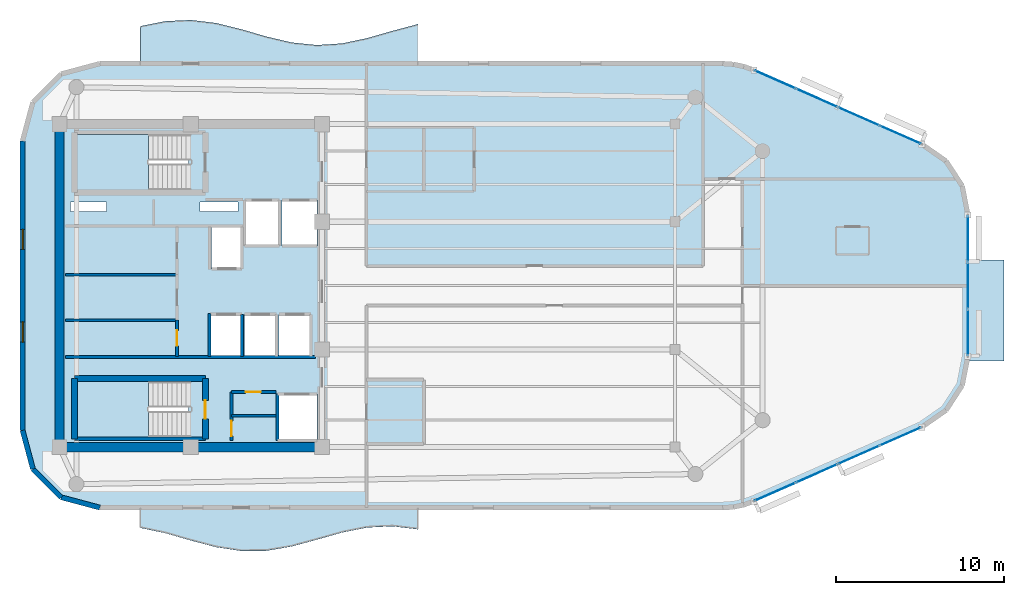
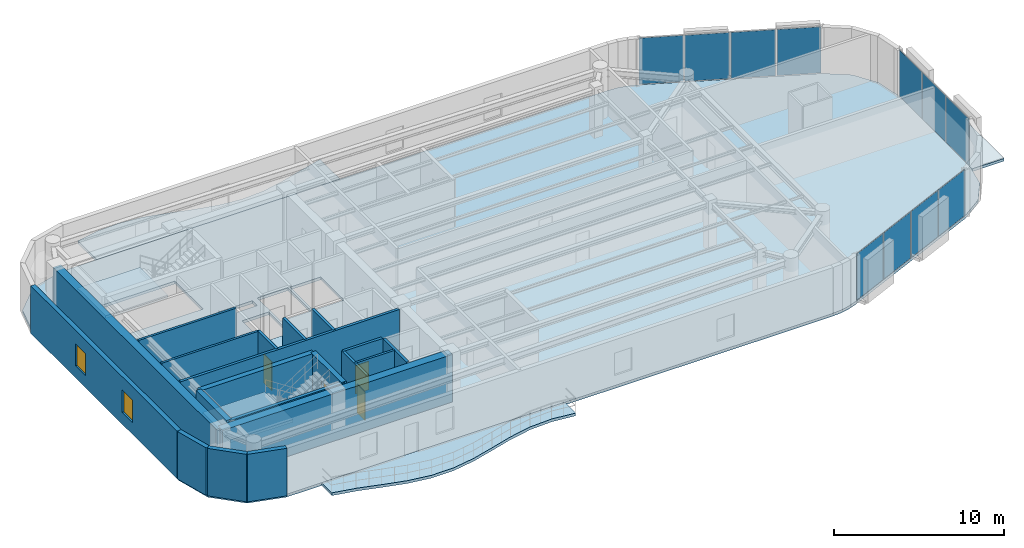
# One storey, part 7 of 12: 20 walls, 11 plates, 6 slabs, 4 doors, 2 windows, 6 openings, 5 elements without a shape of their own.
"""IFC4 building model written with IfcOpenShell, lengths in metres."""

from ifc_helpers import new_model, si_unit, direction, frame, frame_2d, origin, origin_2d, place, context, subcontext, project, spatial, polyline, rectangle, outline, extrude, material, layer, layer_set, type_object, element, fill, aggregate, save


model = new_model("IFC4")

# Units and contexts
model_context = context("Model", 3, precision=1e-05, world=origin(), true_north=direction((0.0, 1.0)))
body_context = subcontext(model_context, "Body", "Model", "MODEL_VIEW")
ifc_project = project(units=[si_unit("LENGTHUNIT", "METRE"), si_unit("AREAUNIT", "SQUARE_METRE"), si_unit("VOLUMEUNIT", "CUBIC_METRE"), si_unit("PLANEANGLEUNIT", "RADIAN"), si_unit("MASSUNIT", "GRAM", prefix="KILO")], contexts=[model_context])

# Site, building, storey
site_placement = place(None, origin())
site = spatial("IfcSite", under=ifc_project, at=site_placement, CompositionType="ELEMENT")
building_placement = place(site_placement, origin())
building = spatial("IfcBuilding", under=site, at=building_placement, Name="An Khanh Terracotta Commons", CompositionType="ELEMENT")
storey_placement = place(building_placement, frame((0.0, 0.0, 291.64990234375)))
storey = spatial("IfcBuildingStorey", under=building, at=storey_placement, Name="L76", CompositionType="ELEMENT", Elevation=291.64990234375)

# Curtain wall, plates
ifc_material_1 = material(Name="Anodised Aluminium 6063-T6", Category="aluminium")
ifc_layer_1 = layer(ifc_material_1, 0.2099609375, Name="Anodised Aluminium 6063-T6")
ifc_layer_set_1 = layer_set([ifc_layer_1], Name="Anodised Aluminium 6063-T6")
curtain_wall_type = type_object("IfcCurtainWallType", Name="CW-SYS-03", PredefinedType="USERDEFINED", material=ifc_layer_set_1)
curtain_wall_1_placement = place(storey_placement, origin())
curtain_wall_1 = element("IfcCurtainWall", 1, at=curtain_wall_1_placement, inside=storey, type_object=curtain_wall_type, Name="L76 CW-03 Unitised Curtain Wall CW-L76-08", ObjectType="UNITISED CURTAIN WALL", PredefinedType="USERDEFINED")
ifc_material_2 = material(Name="Acoustic Laminated Low-E Glazing", Category="glass")
ifc_layer_2 = layer(ifc_material_2, 0.035888671875, Name="Acoustic Laminated Low-E Glazing")
ifc_layer_set_2 = layer_set([ifc_layer_2], Name="Acoustic Laminated Low-E Glazing")
plate_type = type_object("IfcPlateType", Name="CWP-IGU-36", PredefinedType="CURTAIN_PANEL", material=ifc_layer_set_2)
plate_1_placement = place(storey_placement, frame((64.149169921875, 11.748046875, 0.050048828125), z_axis=(0.0, 0.0, 1.0), x_axis=(0.914901853201, 0.403676354285, 0.0)))
plate_1 = element("IfcPlate", 2, at=plate_1_placement, type_object=plate_type, Name="CW-03 panel 1.1", PredefinedType="CURTAIN_PANEL", context=body_context, shape_type="SweptSolid", body=[
    extrude(rectangle(XDim=2.619384765625, YDim=0.035888671875, at=origin_2d()), origin(), (0.0, 0.0, 1.0), 3.31005859375),
])
plate_2_placement = place(storey_placement, frame((66.625732421875, 12.840576171875, 0.050048828125), z_axis=(0.0, 0.0, 1.0), x_axis=(0.914901853201, 0.403676354285, 0.0)))
plate_2 = element("IfcPlate", 3, at=plate_2_placement, type_object=plate_type, Name="CW-03 panel 2.1", PredefinedType="CURTAIN_PANEL", context=body_context, shape_type="SweptSolid", body=[
    extrude(rectangle(XDim=2.654296875, YDim=0.035888671875, at=origin_2d()), origin(), (0.0, 0.0, 1.0), 3.31005859375),
])
plate_3_placement = place(storey_placement, frame((69.1181640625, 13.9404296875, 0.050048828125), z_axis=(0.0, 0.0, 1.0), x_axis=(0.914901853201, 0.403676354285, 0.0)))
plate_3 = element("IfcPlate", 4, at=plate_3_placement, type_object=plate_type, Name="CW-03 panel 3.1", PredefinedType="CURTAIN_PANEL", context=body_context, shape_type="SweptSolid", body=[
    extrude(rectangle(XDim=2.654296875, YDim=0.035888671875, at=origin_2d()), origin(), (0.0, 0.0, 1.0), 3.31005859375),
])
plate_4_placement = place(storey_placement, frame((71.5947265625, 15.032958984375, 0.050048828125), z_axis=(0.0, 0.0, 1.0), x_axis=(0.914901853201, 0.403676354285, 0.0)))
plate_4 = element("IfcPlate", 5, at=plate_4_placement, type_object=plate_type, Name="CW-03 panel 4.1", PredefinedType="CURTAIN_PANEL", context=body_context, shape_type="SweptSolid", body=[
    extrude(rectangle(XDim=2.619384765625, YDim=0.035888671875, at=origin_2d()), origin(), (0.0, 0.0, 1.0), 3.31005859375),
])
aggregate(curtain_wall_1, [plate_1, plate_2, plate_3, plate_4])

curtain_wall_2_placement = place(storey_placement, origin())
curtain_wall_2 = element("IfcCurtainWall", 6, at=curtain_wall_2_placement, inside=storey, type_object=curtain_wall_type, Name="L76 CW-03 Unitised Curtain Wall CW-L76-12", ObjectType="UNITISED CURTAIN WALL", PredefinedType="USERDEFINED")
plate_5_placement = place(storey_placement, frame((75.60009765625, 21.216064453125, 0.050048828125), z_axis=(0.0, 0.0, 1.0), x_axis=(0.0, 1.0, 0.0)))
plate_5 = element("IfcPlate", 7, at=plate_5_placement, type_object=plate_type, Name="CW-03 panel 1.1", PredefinedType="CURTAIN_PANEL", context=body_context, shape_type="SweptSolid", body=[
    extrude(rectangle(XDim=2.6962890625, YDim=0.035888671875, at=origin_2d()), origin(), (0.0, 0.0, 1.0), 3.31005859375),
])
plate_6_placement = place(storey_placement, frame((75.60009765625, 24.0, 0.050048828125), z_axis=(0.0, 0.0, 1.0), x_axis=(0.0, 1.0, 0.0)))
plate_6 = element("IfcPlate", 8, at=plate_6_placement, type_object=plate_type, Name="CW-03 panel 2.1", PredefinedType="CURTAIN_PANEL", context=body_context, shape_type="SweptSolid", body=[
    extrude(rectangle(XDim=2.7314453125, YDim=0.035888671875, at=origin_2d()), origin(), (0.0, 0.0, 1.0), 3.31005859375),
])
plate_7_placement = place(storey_placement, frame((75.60009765625, 26.783935546875, 0.050048828125), z_axis=(0.0, 0.0, 1.0), x_axis=(0.0, 1.0, 0.0)))
plate_7 = element("IfcPlate", 9, at=plate_7_placement, type_object=plate_type, Name="CW-03 panel 3.1", PredefinedType="CURTAIN_PANEL", context=body_context, shape_type="SweptSolid", body=[
    extrude(rectangle(XDim=2.6962890625, YDim=0.035888671875, at=origin_2d()), origin(), (0.0, 0.0, 1.0), 3.31005859375),
])
aggregate(curtain_wall_2, [plate_5, plate_6, plate_7])

curtain_wall_3_placement = place(storey_placement, origin())
curtain_wall_3 = element("IfcCurtainWall", 10, at=curtain_wall_3_placement, inside=storey, type_object=curtain_wall_type, Name="L76 CW-03 Unitised Curtain Wall CW-L76-16", ObjectType="UNITISED CURTAIN WALL", PredefinedType="USERDEFINED")
plate_8_placement = place(storey_placement, frame((71.5947265625, 32.967041015625, 0.050048828125), z_axis=(0.0, 0.0, 1.0), x_axis=(-0.914901853201, 0.403676354285, 0.0)))
plate_8 = element("IfcPlate", 11, at=plate_8_placement, type_object=plate_type, Name="CW-03 panel 1.1", PredefinedType="CURTAIN_PANEL", context=body_context, shape_type="SweptSolid", body=[
    extrude(rectangle(XDim=2.619384765625, YDim=0.035888671875, at=origin_2d()), origin(), (0.0, 0.0, 1.0), 3.31005859375),
])
plate_9_placement = place(storey_placement, frame((69.1181640625, 34.0595703125, 0.050048828125), z_axis=(0.0, 0.0, 1.0), x_axis=(-0.914901853201, 0.403676354285, 0.0)))
plate_9 = element("IfcPlate", 12, at=plate_9_placement, type_object=plate_type, Name="CW-03 panel 2.1", PredefinedType="CURTAIN_PANEL", context=body_context, shape_type="SweptSolid", body=[
    extrude(rectangle(XDim=2.654296875, YDim=0.035888671875, at=origin_2d()), origin(), (0.0, 0.0, 1.0), 3.31005859375),
])
plate_10_placement = place(storey_placement, frame((66.625732421875, 35.159423828125, 0.050048828125), z_axis=(0.0, 0.0, 1.0), x_axis=(-0.914901853201, 0.403676354285, 0.0)))
plate_10 = element("IfcPlate", 13, at=plate_10_placement, type_object=plate_type, Name="CW-03 panel 3.1", PredefinedType="CURTAIN_PANEL", context=body_context, shape_type="SweptSolid", body=[
    extrude(rectangle(XDim=2.654296875, YDim=0.035888671875, at=origin_2d()), origin(), (0.0, 0.0, 1.0), 3.31005859375),
])
plate_11_placement = place(storey_placement, frame((64.149169921875, 36.251953125, 0.050048828125), z_axis=(0.0, 0.0, 1.0), x_axis=(-0.914901853201, 0.403676354285, 0.0)))
plate_11 = element("IfcPlate", 14, at=plate_11_placement, type_object=plate_type, Name="CW-03 panel 4.1", PredefinedType="CURTAIN_PANEL", context=body_context, shape_type="SweptSolid", body=[
    extrude(rectangle(XDim=2.619384765625, YDim=0.035888671875, at=origin_2d()), origin(), (0.0, 0.0, 1.0), 3.31005859375),
])
aggregate(curtain_wall_3, [plate_8, plate_9, plate_10, plate_11])

# Slabs
ifc_material_3 = material(Name="Concrete C40/50", Category="concrete")
ifc_layer_3 = layer(ifc_material_3, 0.199951171875, Name="Concrete C40/50")
ifc_layer_set_3 = layer_set([ifc_layer_3], Name="Concrete C40/50")
slab_type_1 = type_object("IfcSlabType", Name="SLAB-BALC-200", PredefinedType="FLOOR", material=ifc_layer_set_3)
slab_1_placement = place(storey_placement, frame((0.0, 0.0, -0.199951171875)))
element("IfcSlab", 15, at=slab_1_placement, inside=storey, type_object=slab_type_1, Name="L76 S Sinusoidal Wave Balcony Slab", PredefinedType="FLOOR", context=body_context, shape_type="SweptSolid", body=[
    extrude(outline(polyline([(26.39990234375, 10.800048828125), (26.39990234375, 9.60009765625), (27.89990234375, 9.281982421875), (29.39990234375, 8.85205078125), (30.89990234375, 8.455078125), (32.39990234375, 8.22607421875), (33.89990234375, 8.239990234375), (35.39990234375, 8.492919921875), (36.89990234375, 8.90087890625), (38.39990234375, 9.324951171875), (39.89990234375, 9.623046875), (41.39990234375, 9.694091796875), (42.89990234375, 9.513916015625), (42.89990234375, 10.800048828125), (26.39990234375, 10.800048828125)])), origin(), (0.0, 0.0, 1.0), 0.199951171875),
])
slab_2_placement = place(storey_placement, frame((0.0, 0.0, -0.199951171875)))
element("IfcSlab", 16, at=slab_2_placement, inside=storey, type_object=slab_type_1, Name="L76 N Sinusoidal Wave Balcony Slab", PredefinedType="FLOOR", context=body_context, shape_type="SweptSolid", body=[
    extrude(outline(polyline([(42.89990234375, 37.199951171875), (42.89990234375, 39.544921875), (41.39990234375, 39.14794921875), (39.89990234375, 38.718017578125), (38.39990234375, 38.39990234375), (36.89990234375, 38.302001953125), (35.39990234375, 38.455078125), (33.89990234375, 38.80908203125), (32.39990234375, 39.243896484375), (30.89990234375, 39.614013671875), (29.39990234375, 39.7939453125), (27.89990234375, 39.722900390625), (26.39990234375, 39.425048828125), (26.39990234375, 37.199951171875), (42.89990234375, 37.199951171875)])), origin(), (0.0, 0.0, 1.0), 0.199951171875),
])
ifc_layer_4 = layer(ifc_material_3, 0.22998046875, Name="Concrete C40/50")
ifc_layer_set_4 = layer_set([ifc_layer_4], Name="Concrete C40/50")
slab_type_2 = type_object("IfcSlabType", Name="SLAB-BOXROOF-230", PredefinedType="ROOF", material=ifc_layer_set_4)
slab_3_placement = place(storey_placement, frame((0.0, 0.0, -0.199951171875)))
element("IfcSlab", 17, at=slab_3_placement, inside=storey, type_object=slab_type_2, Name="L76 Shifted Social Kitchen Box Closing Roof Slab (L75)", PredefinedType="ROOF", context=body_context, shape_type="SweptSolid", body=[
    extrude(outline(polyline([(75.60009765625, 19.530029296875), (77.75, 19.530029296875), (77.75, 25.530029296875), (75.60009765625, 25.530029296875), (75.60009765625, 19.530029296875)])), origin(), (0.0, 0.0, 1.0), 0.199951171875),
])

# Stair, slab
ifc_material_4 = material(Name="Precast concrete C40/50", Category="concrete")
stair_type = type_object("IfcStairType", Name="STAIR-CORE-1550", PredefinedType="HALF_TURN_STAIR", material=ifc_material_4)
stair_1_placement = place(storey_placement, origin())
stair_1 = element("IfcStair", 18, at=stair_1_placement, inside=storey, type_object=stair_type, Name="L76 Core Smokeproof Exit Stair ST-01", PredefinedType="HALF_TURN_STAIR")
ifc_layer_5 = layer(ifc_material_3, 0.18994140625, Name="Concrete C40/50")
ifc_layer_set_5 = layer_set([ifc_layer_5], Name="Concrete C40/50")
slab_type_3 = type_object("IfcSlabType", Name="SLAB-LANDING-190", PredefinedType="LANDING", material=ifc_layer_set_5)
slab_4_placement = place(storey_placement, frame((0.0, 0.0, 1.625)))
slab_4 = element("IfcSlab", 19, at=slab_4_placement, type_object=slab_type_3, Name="ST-01 landing 1", PredefinedType="LANDING", context=body_context, shape_type="SweptSolid", body=[
    extrude(outline(polyline([(26.889892578125, 33.0), (22.64990234375, 33.0), (22.64990234375, 29.699951171875), (26.889892578125, 29.699951171875), (26.889892578125, 33.0)])), origin(), (0.0, 0.0, 1.0), 0.2001953125),
])
aggregate(stair_1, [slab_4])

stair_2_placement = place(storey_placement, origin())
stair_2 = element("IfcStair", 20, at=stair_2_placement, inside=storey, type_object=stair_type, Name="L76 Core Smokeproof Exit Stair ST-02", PredefinedType="HALF_TURN_STAIR")
slab_5_placement = place(storey_placement, frame((0.0, 0.0, 1.625)))
slab_5 = element("IfcSlab", 21, at=slab_5_placement, type_object=slab_type_3, Name="ST-02 landing 1", PredefinedType="LANDING", context=body_context, shape_type="SweptSolid", body=[
    extrude(outline(polyline([(26.889892578125, 18.300048828125), (22.64990234375, 18.300048828125), (22.64990234375, 15.0), (26.889892578125, 15.0), (26.889892578125, 18.300048828125)])), origin(), (0.0, 0.0, 1.0), 0.2001953125),
])
aggregate(stair_2, [slab_5])

# Slab
ifc_layer_6 = layer(ifc_material_3, 0.199951171875, Name="Concrete C40/50")
ifc_layer_set_6 = layer_set([ifc_layer_6], Name="Concrete C40/50")
slab_type_4 = type_object("IfcSlabType", Name="SLAB-TYP-200", PredefinedType="FLOOR", material=ifc_layer_set_6)
slab_6_placement = place(storey_placement, frame((0.0, 0.0, -0.199951171875)))
element("IfcSlab", 22, at=slab_6_placement, inside=storey, type_object=slab_type_4, Name="L76 Structural Floor Slab", PredefinedType="FLOOR", context=body_context, shape_type="SweptSolid", body=[
    extrude(outline(polyline([(19.39990234375, 15.39990234375), (20.01611328125, 13.10009765625), (21.699951171875, 11.416015625), (24.0, 10.800048828125), (61.030029296875, 10.800048828125), (61.6650390625, 10.843994140625), (62.2880859375, 10.97509765625), (62.886962890625, 11.19091796875), (72.85693359375, 15.590087890625), (74.302001953125, 16.594970703125), (75.262939453125, 18.070068359375), (75.60009765625, 19.798095703125), (75.60009765625, 28.201904296875), (75.262939453125, 29.929931640625), (74.302001953125, 31.405029296875), (72.85693359375, 32.409912109375), (62.886962890625, 36.80908203125), (62.2880859375, 37.02490234375), (61.6650390625, 37.156005859375), (61.030029296875, 37.199951171875), (24.0, 37.199951171875), (21.699951171875, 36.583984375), (20.01611328125, 34.89990234375), (19.39990234375, 32.60009765625), (19.39990234375, 15.39990234375)]), holes=[polyline([(22.64990234375, 29.699951171875), (29.27001953125, 29.699951171875), (29.27001953125, 33.0), (22.64990234375, 33.0), (22.64990234375, 29.699951171875)]), polyline([(22.64990234375, 15.0), (29.27001953125, 15.0), (29.27001953125, 18.300048828125), (22.64990234375, 18.300048828125), (22.64990234375, 15.0)]), polyline([(32.60009765625, 26.35009765625), (34.679931640625, 26.35009765625), (34.679931640625, 29.080078125), (32.60009765625, 29.080078125), (32.60009765625, 26.35009765625)]), polyline([(34.820068359375, 26.35009765625), (36.89990234375, 26.35009765625), (36.89990234375, 29.080078125), (34.820068359375, 29.080078125), (34.820068359375, 26.35009765625)]), polyline([(34.550048828125, 14.800048828125), (36.89990234375, 14.800048828125), (36.89990234375, 17.550048828125), (34.550048828125, 17.550048828125), (34.550048828125, 14.800048828125)]), polyline([(30.639892578125, 25.0), (32.4599609375, 25.0), (32.4599609375, 27.5), (30.639892578125, 27.5), (30.639892578125, 25.0)]), polyline([(30.56005859375, 19.800048828125), (32.4599609375, 19.800048828125), (32.4599609375, 22.300048828125), (30.56005859375, 22.300048828125), (30.56005859375, 19.800048828125)]), polyline([(32.60009765625, 19.800048828125), (34.5, 19.800048828125), (34.5, 22.300048828125), (32.60009765625, 22.300048828125), (32.60009765625, 19.800048828125)]), polyline([(34.639892578125, 19.800048828125), (36.5400390625, 19.800048828125), (36.5400390625, 22.300048828125), (34.639892578125, 22.300048828125), (34.639892578125, 19.800048828125)]), polyline([(22.25, 28.419921875), (24.39990234375, 28.419921875), (24.39990234375, 28.97998046875), (22.25, 28.97998046875), (22.25, 28.419921875)]), polyline([(29.949951171875, 28.419921875), (32.199951171875, 28.419921875), (32.199951171875, 28.97998046875), (29.949951171875, 28.97998046875), (29.949951171875, 28.419921875)])]), origin(), (0.0, 0.0, 1.0), 0.199951171875),
])

# Walls
ifc_material_5 = material(Name="Concrete C50/60", Category="concrete")
ifc_layer_7 = layer(ifc_material_5, 0.550048828125, Name="Concrete C50/60")
ifc_layer_set_7 = layer_set([ifc_layer_7], Name="Concrete C50/60")
wall_type_1 = type_object("IfcWallType", Name="WALL-CORE-550", PredefinedType="SHEAR", material=ifc_layer_set_7)
wall_1_placement = place(storey_placement, frame((21.60009765625, 14.39990234375, 0.0), z_axis=(0.0, 0.0, 1.0), x_axis=(0.0, 1.0, 0.0)))
element("IfcWall", 23, at=wall_1_placement, inside=storey, type_object=wall_type_1, Name="L76 Core Wall CWALL-L76-W", PredefinedType="SHEAR", context=body_context, shape_type="SweptSolid", body=[
    extrude(rectangle(XDim=19.2001953125, YDim=0.550048828125, at=frame_2d((9.60009765625, 0.0))), origin(), (0.0, 0.0, 1.0), 3.41015625),
])
wall_2_placement = place(storey_placement, frame((37.199951171875, 14.39990234375, 0.0), z_axis=(0.0, 0.0, 1.0), x_axis=(-1.0, 0.0, 0.0)))
element("IfcWall", 24, at=wall_2_placement, inside=storey, type_object=wall_type_1, Name="L76 Core Wall CWALL-L76-S", PredefinedType="SHEAR", context=body_context, shape_type="SweptSolid", body=[
    extrude(rectangle(XDim=15.599853515625, YDim=0.550048828125, at=frame_2d((7.7998046875, 0.0))), origin(), (0.0, 0.0, 1.0), 3.41015625),
])
ifc_material_6 = material(Name="Fire-Rated Gypsum Board on Steel Stud", Category="steel")
ifc_layer_8 = layer(ifc_material_6, 0.179931640625, Name="Fire-Rated Gypsum Board on Steel Stud")
ifc_layer_set_8 = layer_set([ifc_layer_8], Name="Fire-Rated Gypsum Board on Steel Stud")
wall_type_2 = type_object("IfcWallType", Name="WALL-CORR-180", PredefinedType="PARTITIONING", material=ifc_layer_set_8)
wall_3_placement = place(storey_placement, frame((21.949951171875, 19.760009765625, 0.0), z_axis=(0.0, 0.0, 1.0), x_axis=(1.0, 0.0, 0.0)))
element("IfcWall", 25, at=wall_3_placement, inside=storey, type_object=wall_type_2, Name="L76 Core Wall SVW-L76-N", PredefinedType="PARTITIONING", context=body_context, shape_type="SweptSolid", body=[
    extrude(rectangle(XDim=14.8701171875, YDim=0.179931640625, at=frame_2d((7.43505859375, 0.0))), origin(), (0.0, 0.0, 1.0), 3.41015625),
])

# Wall, opening, door
wall_4_placement = place(storey_placement, frame((31.820068359375, 17.679931640625, 0.0), z_axis=(0.0, 0.0, 1.0), x_axis=(1.0, 0.0, 0.0)))
wall_4 = element("IfcWall", 26, at=wall_4_placement, inside=storey, type_object=wall_type_2, Name="L76 Core Wall SSVCW-L76-N", PredefinedType="PARTITIONING", context=body_context, shape_type="SweptSolid", body=[
    extrude(rectangle(XDim=2.659912109375, YDim=0.179931640625, at=frame_2d((1.330078125, 0.0))), origin(), (0.0, 0.0, 1.0), 3.41015625),
])
opening_1_placement = place(wall_4_placement, frame((0.85009765625, 0.0, 0.0)))
opening_1 = element("IfcOpeningElement", 27, at=opening_1_placement, cuts=wall_4, Name="Opening D-SV", PredefinedType="OPENING", context=body_context, shape_type="SweptSolid", body=[
    extrude(rectangle(XDim=0.89990234375, YDim=2.050048828125, at=frame_2d((0.449951171875, 1.02490234375))), frame((0.0, 0.099853515625, 0.0), z_axis=(0.0, -1.0, 0.0), x_axis=(1.0, 0.0, 0.0)), (0.0, 0.0, 1.0), 0.199951171875),
])
ifc_material_7 = material(Name="Fire-Rated Powder-Coated Steel Door", Category="steel")
door_type_1 = type_object("IfcDoorType", Name="DOOR-SERV-900", OperationType="NOTDEFINED", PredefinedType="DOOR", material=ifc_material_7)
door_1_placement = place(opening_1_placement, origin())
door_1 = element("IfcDoor", 28, at=door_1_placement, inside=storey, type_object=door_type_1, Name="L76 Core Cleaner Store Door", OperationType="SINGLE_SWING_RIGHT", OverallHeight=2.050048828125, OverallWidth=0.89990234375, PredefinedType="DOOR", context=body_context, shape_type="SweptSolid", body=[
    extrude(rectangle(XDim=0.89990234375, YDim=2.050048828125, at=frame_2d((0.449951171875, 1.02490234375))), frame((0.0, 0.02490234375, 0.0), z_axis=(0.0, -1.0, 0.0), x_axis=(1.0, 0.0, 0.0)), (0.0, 0.0, 1.0), 0.050048828125),
])
fill(opening_1, door_1)

wall_5_placement = place(storey_placement, frame((31.820068359375, 14.800048828125, 0.0), z_axis=(0.0, 0.0, 1.0), x_axis=(0.0, 1.0, 0.0)))
wall_5 = element("IfcWall", 29, at=wall_5_placement, inside=storey, type_object=wall_type_2, Name="L76 Core Wall SSVCW-L76-W", PredefinedType="PARTITIONING", context=body_context, shape_type="SweptSolid", body=[
    extrude(rectangle(XDim=2.8798828125, YDim=0.179931640625, at=frame_2d((1.43994140625, 0.0))), origin(), (0.0, 0.0, 1.0), 3.41015625),
])
opening_2_placement = place(wall_5_placement, frame((0.260009765625, 0.0, 0.0)))
opening_2 = element("IfcOpeningElement", 30, at=opening_2_placement, cuts=wall_5, Name="Opening D-SV", PredefinedType="OPENING", context=body_context, shape_type="SweptSolid", body=[
    extrude(rectangle(XDim=0.89990234375, YDim=2.050048828125, at=frame_2d((0.449951171875, 1.02490234375))), frame((0.0, 0.099853515625, 0.0), z_axis=(0.0, -1.0, 0.0), x_axis=(1.0, 0.0, 0.0)), (0.0, 0.0, 1.0), 0.199951171875),
])
door_2_placement = place(opening_2_placement, origin())
door_2 = element("IfcDoor", 31, at=door_2_placement, inside=storey, type_object=door_type_1, Name="L76 Telecoms BMS Cupboard Door", OperationType="SINGLE_SWING_LEFT", OverallHeight=2.050048828125, OverallWidth=0.89990234375, PredefinedType="DOOR", context=body_context, shape_type="SweptSolid", body=[
    extrude(rectangle(XDim=0.89990234375, YDim=2.050048828125, at=frame_2d((0.449951171875, 1.02490234375))), frame((0.0, 0.02490234375, 0.0), z_axis=(0.0, -1.0, 0.0), x_axis=(1.0, 0.0, 0.0)), (0.0, 0.0, 1.0), 0.050048828125),
])
fill(opening_2, door_2)

# Walls
wall_6_placement = place(storey_placement, frame((34.550048828125, 17.550048828125, 0.0), z_axis=(0.0, 0.0, 1.0), x_axis=(0.0, -1.0, 0.0)))
element("IfcWall", 32, at=wall_6_placement, inside=storey, type_object=wall_type_2, Name="L76 Core Wall LSH-L76-SVL-01-W", PredefinedType="PARTITIONING", context=body_context, shape_type="SweptSolid", body=[
    extrude(rectangle(XDim=2.75, YDim=0.179931640625, at=frame_2d((1.375, 0.0))), origin(), (0.0, 0.0, 1.0), 3.41015625),
])
wall_7_placement = place(storey_placement, frame((32.4599609375, 19.800048828125, 0.0), z_axis=(0.0, 0.0, 1.0), x_axis=(0.0, 1.0, 0.0)))
element("IfcWall", 33, at=wall_7_placement, inside=storey, type_object=wall_type_2, Name="L76 Core Wall LSH-L76-PL-H2-E", PredefinedType="PARTITIONING", context=body_context, shape_type="SweptSolid", body=[
    extrude(rectangle(XDim=2.5, YDim=0.179931640625, at=frame_2d((1.25, 0.0))), origin(), (0.0, 0.0, 1.0), 3.41015625),
])
wall_8_placement = place(storey_placement, frame((30.52001953125, 19.800048828125, 0.0), z_axis=(0.0, 0.0, 1.0), x_axis=(0.0, 1.0, 0.0)))
element("IfcWall", 34, at=wall_8_placement, inside=storey, type_object=wall_type_2, Name="L76 Core Wall RECW-L76-BE2", PredefinedType="PARTITIONING", context=body_context, shape_type="SweptSolid", body=[
    extrude(rectangle(XDim=2.550048828125, YDim=0.179931640625, at=frame_2d((1.27490234375, 0.0))), origin(), (0.0, 0.0, 1.0), 3.41015625),
])

# Wall, opening, door
wall_9_placement = place(storey_placement, frame((28.580078125, 19.800048828125, 0.0), z_axis=(0.0, 0.0, 1.0), x_axis=(0.0, 1.0, 0.0)))
wall_9 = element("IfcWall", 35, at=wall_9_placement, inside=storey, type_object=wall_type_2, Name="L76 Core Wall RECW-L76-E3", PredefinedType="PARTITIONING", context=body_context, shape_type="SweptSolid", body=[
    extrude(rectangle(XDim=2.14990234375, YDim=0.179931640625, at=frame_2d((1.074951171875, 0.0))), origin(), (0.0, 0.0, 1.0), 3.41015625),
])
opening_3_placement = place(wall_9_placement, frame((0.614990234375, 0.0, 0.0)))
opening_3 = element("IfcOpeningElement", 36, at=opening_3_placement, cuts=wall_9, Name="Opening D-RM", PredefinedType="OPENING", context=body_context, shape_type="SweptSolid", body=[
    extrude(rectangle(XDim=0.919921875, YDim=2.10009765625, at=frame_2d((0.4599609375, 1.050048828125))), frame((0.0, 0.099853515625, 0.0), z_axis=(0.0, -1.0, 0.0), x_axis=(1.0, 0.0, 0.0)), (0.0, 0.0, 1.0), 0.199951171875),
])
ifc_material_8 = material(Name="Engineered Hardwood Timber Leaf", Category="wood")
door_type_2 = type_object("IfcDoorType", Name="DOOR-INT-920", OperationType="NOTDEFINED", PredefinedType="DOOR", material=ifc_material_8)
door_3_placement = place(opening_3_placement, origin())
door_3 = element("IfcDoor", 37, at=door_3_placement, inside=storey, type_object=door_type_2, Name="L76 Communal Laundry Room Door", OperationType="SINGLE_SWING_RIGHT", OverallHeight=2.10009765625, OverallWidth=0.919921875, PredefinedType="DOOR", context=body_context, shape_type="SweptSolid", body=[
    extrude(rectangle(XDim=0.919921875, YDim=2.10009765625, at=frame_2d((0.4599609375, 1.050048828125))), frame((0.0, 0.02490234375, 0.0), z_axis=(0.0, -1.0, 0.0), x_axis=(1.0, 0.0, 0.0)), (0.0, 0.0, 1.0), 0.050048828125),
])
fill(opening_3, door_3)

# Walls
ifc_layer_9 = layer(ifc_material_4, 0.300048828125, Name="Precast concrete C40/50")
ifc_layer_set_9 = layer_set([ifc_layer_9], Name="Precast concrete C40/50")
wall_type_3 = type_object("IfcWallType", Name="WALL-EXT-300", PredefinedType="SOLIDWALL", material=ifc_layer_set_9)
wall_10_placement = place(storey_placement, frame((19.39990234375, 15.39990234375, 0.0), z_axis=(0.0, 0.0, 1.0), x_axis=(0.258811258154, -0.965927912762, 0.0)))
element("IfcWall", 38, at=wall_10_placement, inside=storey, type_object=wall_type_3, Name="L76 Insulated Terracotta Exterior Wall 1", PredefinedType="SOLIDWALL", context=body_context, shape_type="SweptSolid", body=[
    extrude(rectangle(XDim=2.380859375, YDim=0.300048828125, at=frame_2d((1.1904296875, 0.0))), origin(), (0.0, 0.0, 1.0), 3.41015625),
])
wall_11_placement = place(storey_placement, frame((20.01611328125, 13.10009765625, 0.0), z_axis=(0.0, 0.0, 1.0), x_axis=(0.707055521135, -0.707158037522, 0.0)))
element("IfcWall", 39, at=wall_11_placement, inside=storey, type_object=wall_type_3, Name="L76 Insulated Terracotta Exterior Wall 2", PredefinedType="SOLIDWALL", context=body_context, shape_type="SweptSolid", body=[
    extrude(rectangle(XDim=2.381591796875, YDim=0.300048828125, at=frame_2d((1.19091796875, 0.0))), origin(), (0.0, 0.0, 1.0), 3.41015625),
])
wall_12_placement = place(storey_placement, frame((21.699951171875, 11.416015625, 0.0), z_axis=(0.0, 0.0, 1.0), x_axis=(0.965960405575, -0.25868995895, 0.0)))
element("IfcWall", 40, at=wall_12_placement, inside=storey, type_object=wall_type_3, Name="L76 Insulated Terracotta Exterior Wall 3", PredefinedType="SOLIDWALL", context=body_context, shape_type="SweptSolid", body=[
    extrude(rectangle(XDim=2.381103515625, YDim=0.300048828125, at=frame_2d((1.1904296875, 0.0))), origin(), (0.0, 0.0, 1.0), 3.41015625),
])

# Wall, openings, windows
wall_13_placement = place(storey_placement, frame((19.39990234375, 32.60009765625, 0.0), z_axis=(0.0, 0.0, 1.0), x_axis=(0.0, -1.0, 0.0)))
wall_13 = element("IfcWall", 41, at=wall_13_placement, inside=storey, type_object=wall_type_3, Name="L76 Insulated Terracotta Exterior Wall 24", PredefinedType="SOLIDWALL", context=body_context, shape_type="SweptSolid", body=[
    extrude(rectangle(XDim=17.2001953125, YDim=0.300048828125, at=frame_2d((8.60009765625, 0.0))), origin(), (0.0, 0.0, 1.0), 3.41015625),
])
opening_4_placement = place(wall_13_placement, frame((5.25, 0.0, 0.85009765625)))
opening_4 = element("IfcOpeningElement", 42, at=opening_4_placement, cuts=wall_13, Name="Opening W-05", PredefinedType="OPENING", context=body_context, shape_type="SweptSolid", body=[
    extrude(rectangle(XDim=1.199951171875, YDim=1.60009765625, at=frame_2d((0.60009765625, 0.800048828125))), frame((0.0, 0.159912109375, 0.0), z_axis=(0.0, -1.0, 0.0), x_axis=(1.0, 0.0, 0.0)), (0.0, 0.0, 1.0), 0.320068359375),
])
opening_5_placement = place(wall_13_placement, frame((10.75, 0.0, 0.85009765625)))
opening_5 = element("IfcOpeningElement", 43, at=opening_5_placement, cuts=wall_13, Name="Opening W-05", PredefinedType="OPENING", context=body_context, shape_type="SweptSolid", body=[
    extrude(rectangle(XDim=1.199951171875, YDim=1.60009765625, at=frame_2d((0.60009765625, 0.800048828125))), frame((0.0, 0.159912109375, 0.0), z_axis=(0.0, -1.0, 0.0), x_axis=(1.0, 0.0, 0.0)), (0.0, 0.0, 1.0), 0.320068359375),
])
ifc_material_9 = material(Name="Thermally Broken Aluminium and Low-E Glass", Category="aluminium")
window_type = type_object("IfcWindowType", Name="WIN-Z5-1200x1600", PartitioningType="SINGLE_PANEL", PredefinedType="WINDOW", material=ifc_material_9)
window_1_placement = place(opening_4_placement, origin())
window_1 = element("IfcWindow", 44, at=window_1_placement, inside=storey, type_object=window_type, Name="L76 Operable Casement Window 24.1", OverallHeight=1.60009765625, OverallWidth=1.199951171875, PartitioningType="SINGLE_PANEL", PredefinedType="WINDOW", context=body_context, shape_type="SweptSolid", body=[
    extrude(rectangle(XDim=1.199951171875, YDim=1.60009765625, at=frame_2d((0.60009765625, 0.800048828125))), frame((0.0, 0.030029296875, 0.0), z_axis=(0.0, -1.0, 0.0), x_axis=(1.0, 0.0, 0.0)), (0.0, 0.0, 1.0), 0.06005859375),
])
fill(opening_4, window_1)
window_2_placement = place(opening_5_placement, origin())
window_2 = element("IfcWindow", 45, at=window_2_placement, inside=storey, type_object=window_type, Name="L76 Operable Casement Window 24.2", OverallHeight=1.60009765625, OverallWidth=1.199951171875, PartitioningType="SINGLE_PANEL", PredefinedType="WINDOW", context=body_context, shape_type="SweptSolid", body=[
    extrude(rectangle(XDim=1.199951171875, YDim=1.60009765625, at=frame_2d((0.60009765625, 0.800048828125))), frame((0.0, 0.030029296875, 0.0), z_axis=(0.0, -1.0, 0.0), x_axis=(1.0, 0.0, 0.0)), (0.0, 0.0, 1.0), 0.06005859375),
])
fill(opening_5, window_2)

# Walls
ifc_material_10 = material(Name="Acoustic Gypsum Board Partition")
ifc_layer_10 = layer(ifc_material_10, 0.14990234375, Name="Acoustic Gypsum Board Partition")
ifc_layer_set_10 = layer_set([ifc_layer_10], Name="Acoustic Gypsum Board Partition")
wall_type_4 = type_object("IfcWallType", Name="WALL-PART-150", PredefinedType="PARTITIONING", material=ifc_layer_set_10)
wall_14_placement = place(storey_placement, frame((31.820068359375, 16.260009765625, 0.0), z_axis=(0.0, 0.0, 1.0), x_axis=(1.0, 0.0, 0.0)))
element("IfcWall", 46, at=wall_14_placement, inside=storey, type_object=wall_type_4, Name="L76 Core Wall SSVCW-L76-M", PredefinedType="PARTITIONING", context=body_context, shape_type="SweptSolid", body=[
    extrude(rectangle(XDim=2.659912109375, YDim=0.14990234375, at=frame_2d((1.330078125, 0.0))), origin(), (0.0, 0.0, 1.0), 3.41015625),
])
for number, where, z_axis, x_axis, name in (
    (47, (21.949951171875, 24.64990234375, 0.0), (0.0, 0.0, 1.0), (1.0, 0.0, 0.0), "L76 Core Wall RECW-L76-H1"),
    (48, (21.949951171875, 21.949951171875, 0.0), (0.0, 0.0, 1.0), (1.0, 0.0, 0.0), "L76 Core Wall RECW-L76-H2"),
):
    element("IfcWall", number, at=place(storey_placement, frame(where, z_axis=z_axis, x_axis=x_axis)), inside=storey, type_object=wall_type_4, Name=name, PredefinedType="PARTITIONING", context=body_context, shape_type="SweptSolid", body=[
        extrude(rectangle(XDim=6.630126953125, YDim=0.14990234375, at=frame_2d((3.31494140625, 0.0))), origin(), (0.0, 0.0, 1.0), 3.41015625),
    ])
ifc_material_11 = material(Name="Acoustic Double-Stud Gypsum and Mineral Wool")
ifc_layer_11 = layer(ifc_material_11, 0.219970703125, Name="Acoustic Double-Stud Gypsum and Mineral Wool")
ifc_layer_set_11 = layer_set([ifc_layer_11], Name="Acoustic Double-Stud Gypsum and Mineral Wool")
wall_type_5 = type_object("IfcWallType", Name="WALL-PARTY-220", PredefinedType="PARTITIONING", material=ifc_layer_set_11)
wall_15_placement = place(storey_placement, frame((22.47998046875, 14.889892578125, 0.0), z_axis=(0.0, 0.0, 1.0), x_axis=(1.0, 0.0, 0.0)))
element("IfcWall", 49, at=wall_15_placement, inside=storey, type_object=wall_type_5, Name="L76 Core Wall STW-L76-S-S", PredefinedType="PARTITIONING", context=body_context, shape_type="SweptSolid", body=[
    extrude(rectangle(XDim=7.7900390625, YDim=0.219970703125, at=frame_2d((3.89501953125, 0.0))), origin(), (0.0, 0.0, 1.0), 3.41015625),
])
ifc_layer_12 = layer(ifc_material_5, 0.35009765625, Name="Concrete C50/60")
ifc_layer_set_12 = layer_set([ifc_layer_12], Name="Concrete C50/60")
wall_type_6 = type_object("IfcWallType", Name="WALL-SHAFT-350", PredefinedType="SOLIDWALL", material=ifc_layer_set_12)
wall_16_placement = place(storey_placement, frame((22.47998046875, 18.469970703125, 0.0), z_axis=(0.0, 0.0, 1.0), x_axis=(1.0, 0.0, 0.0)))
element("IfcWall", 50, at=wall_16_placement, inside=storey, type_object=wall_type_6, Name="L76 Core Wall STW-L76-S-N", PredefinedType="SOLIDWALL", context=body_context, shape_type="SweptSolid", body=[
    extrude(rectangle(XDim=7.7900390625, YDim=0.35009765625, at=frame_2d((3.89501953125, 0.0))), origin(), (0.0, 0.0, 1.0), 3.41015625),
])
wall_17_placement = place(storey_placement, frame((22.47998046875, 14.889892578125, 0.0), z_axis=(0.0, 0.0, 1.0), x_axis=(0.0, 1.0, 0.0)))
element("IfcWall", 51, at=wall_17_placement, inside=storey, type_object=wall_type_6, Name="L76 Core Wall STW-L76-S-W", PredefinedType="SOLIDWALL", context=body_context, shape_type="SweptSolid", body=[
    extrude(rectangle(XDim=3.580078125, YDim=0.35009765625, at=frame_2d((1.7900390625, 0.0))), origin(), (0.0, 0.0, 1.0), 3.41015625),
])

# Wall, opening, door
wall_18_placement = place(storey_placement, frame((30.27001953125, 14.889892578125, 0.0), z_axis=(0.0, 0.0, 1.0), x_axis=(0.0, 1.0, 0.0)))
wall_18 = element("IfcWall", 52, at=wall_18_placement, inside=storey, type_object=wall_type_6, Name="L76 Core Wall STW-L76-S-E", PredefinedType="SOLIDWALL", context=body_context, shape_type="SweptSolid", body=[
    extrude(rectangle(XDim=3.580078125, YDim=0.35009765625, at=frame_2d((1.7900390625, 0.0))), origin(), (0.0, 0.0, 1.0), 3.41015625),
])
opening_6_placement = place(wall_18_placement, frame((1.18994140625, 0.0, 0.0)))
opening_6 = element("IfcOpeningElement", 53, at=opening_6_placement, cuts=wall_18, Name="Opening D-ST", PredefinedType="OPENING", context=body_context, shape_type="SweptSolid", body=[
    extrude(rectangle(XDim=1.10009765625, YDim=2.14990234375, at=frame_2d((0.550048828125, 1.074951171875))), frame((0.0, 0.18505859375, 0.0), z_axis=(0.0, -1.0, 0.0), x_axis=(1.0, 0.0, 0.0)), (0.0, 0.0, 1.0), 0.3701171875),
])
ifc_material_12 = material(Name="Fire-Rated Steel Leaf and Frame", Category="steel")
door_type_3 = type_object("IfcDoorType", Name="DOOR-STAIR-1100", OperationType="NOTDEFINED", PredefinedType="DOOR", material=ifc_material_12)
door_4_placement = place(opening_6_placement, origin())
door_4 = element("IfcDoor", 54, at=door_4_placement, inside=storey, type_object=door_type_3, Name="L76 Stair ST-02 Fire Door", OperationType="SINGLE_SWING_LEFT", OverallHeight=2.14990234375, OverallWidth=1.10009765625, PredefinedType="DOOR", context=body_context, shape_type="SweptSolid", body=[
    extrude(rectangle(XDim=1.10009765625, YDim=2.14990234375, at=frame_2d((0.550048828125, 1.074951171875))), frame((0.0, 0.02490234375, 0.0), z_axis=(0.0, -1.0, 0.0), x_axis=(1.0, 0.0, 0.0)), (0.0, 0.0, 1.0), 0.050048828125),
])
fill(opening_6, door_4)

save(model, "model.ifc")
